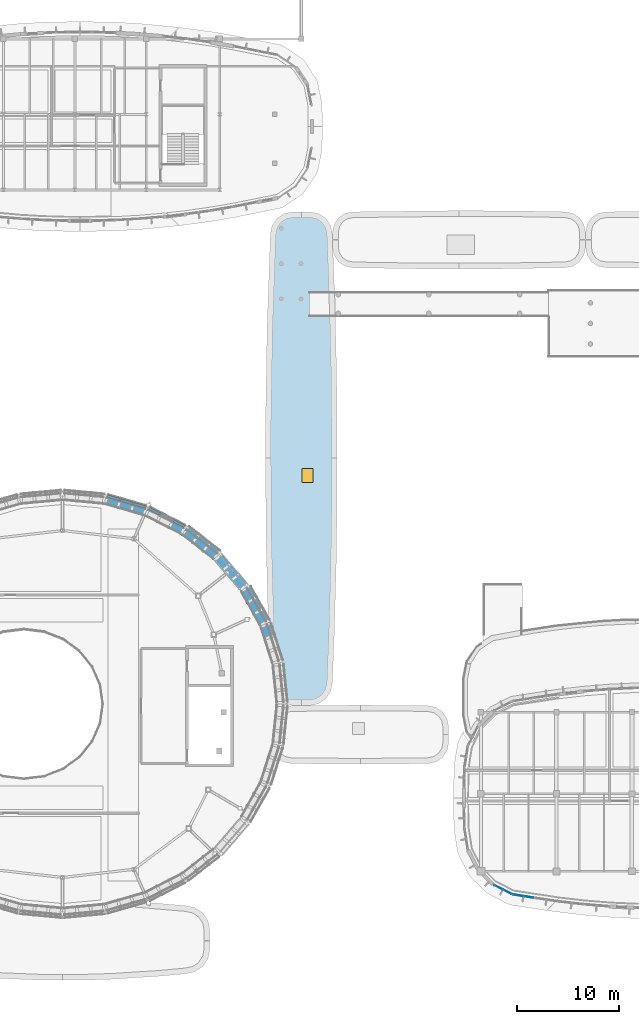
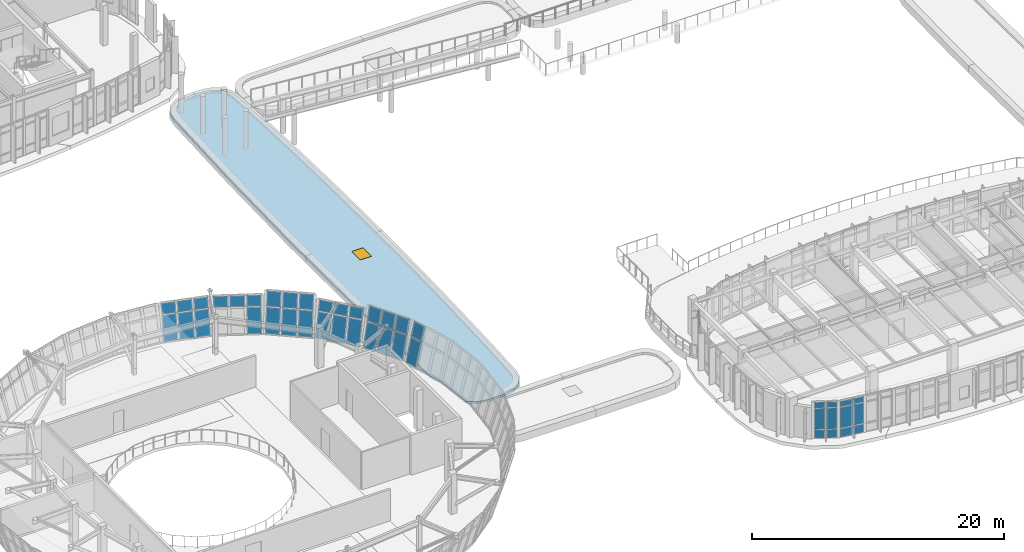
# One storey, part 66 of 111: 42 plates, 1 door, 1 slab, 1 opening, 8 elements without a shape of their own.
"""IFC4 building model written with IfcOpenShell, lengths in metres."""

from ifc_helpers import new_model, si_unit, direction, frame, origin, origin_2d, place, context, subcontext, project, spatial, polyline, rectangle, outline, extrude, material, layer, layer_set, type_object, element, fill, aggregate, save


model = new_model("IFC4")

# Units and contexts
model_context = context("Model", 3, precision=1e-05, world=origin(), true_north=direction((0.0, 1.0)))
body_context = subcontext(model_context, "Body", "Model", "MODEL_VIEW")
ifc_project = project(units=[si_unit("LENGTHUNIT", "METRE"), si_unit("AREAUNIT", "SQUARE_METRE"), si_unit("VOLUMEUNIT", "CUBIC_METRE"), si_unit("PLANEANGLEUNIT", "RADIAN"), si_unit("MASSUNIT", "GRAM", prefix="KILO")], contexts=[model_context])

# Site, building, storey
site_placement = place(None, origin())
site = spatial("IfcSite", under=ifc_project, at=site_placement, CompositionType="ELEMENT")
building_placement = place(site_placement, origin())
building = spatial("IfcBuilding", under=site, at=building_placement, Name="Corveleigh Park Community Centre", CompositionType="ELEMENT")
storey_placement = place(building_placement, frame((0.0, 0.0, 4.800048828125)))
storey = spatial("IfcBuildingStorey", under=building, at=storey_placement, Name="L01", CompositionType="ELEMENT", Elevation=4.800048828125)

# Curtain wall, plates
ifc_material_1 = material(Name="Anodised aluminium 6063-T6", Category="aluminium")
curtain_wall_type_1 = type_object("IfcCurtainWallType", Name="CW-SYS-V1-DRUM", PredefinedType="NOTDEFINED", material=ifc_material_1)
curtain_wall_1_placement = place(storey_placement, origin())
curtain_wall_1 = element("IfcCurtainWall", 1, at=curtain_wall_1_placement, inside=storey, type_object=curtain_wall_type_1, Name="Main Hall Flared Drum CW 163", PredefinedType="NOTDEFINED")
ifc_material_2 = material(Name="Low-E double glazing", Category="glass")
ifc_layer_1 = layer(ifc_material_2, 0.02392578125, Name="Low-E double glazing", Category="glass")
ifc_layer_set_1 = layer_set([ifc_layer_1], Name="Low-E double glazing")
plate_type_1 = type_object("IfcPlateType", Name="CWP-GLZ-24", PredefinedType="CURTAIN_PANEL", material=ifc_layer_set_1)
plate_1_placement = place(storey_placement, frame((50.811767578125, 34.04296875, 0.079833984375), z_axis=(-0.91356732565, -0.2910861537, 0.28401336699), x_axis=(-0.303593019325, 0.952801804299, -1.8486097e-05)))
plate_1 = element("IfcPlate", 2, at=plate_1_placement, type_object=plate_type_1, Name="CW02 panel 3.1", PredefinedType="CURTAIN_PANEL", context=body_context, shape_type="SweptSolid", body=[
    extrude(outline(polyline([(0.0, 0.0), (1.1674272667104637, 0.0), (1.167204053033308, -2.221634736560403), (8.352334033065686e-05, -2.2215897263788698), (0.0, 0.0)])), origin(), (0.0, 0.0, -1.0), 0.02392578125),
])
plate_2_placement = place(storey_placement, frame((51.435546875, 34.24169921875, 2.2900390625), z_axis=(-0.913524107745, -0.291172649423, 0.284063712568), x_axis=(-0.303680295039, 0.952773991212, 8.648615e-06)))
plate_2 = element("IfcPlate", 3, at=plate_2_placement, type_object=plate_type_1, Name="CW02 panel 3.2", PredefinedType="CURTAIN_PANEL", context=body_context, shape_type="SweptSolid", body=[
    extrude(outline(polyline([(0.0, 0.0), (1.167427268642319, 0.0), (1.1672751216239488, -1.2952923042746187), (8.046381932836762e-05, -1.2953133630273834), (0.0, 0.0)])), origin(), (0.0, 0.0, -1.0), 0.02392578125),
])
aggregate(curtain_wall_1, [plate_1, plate_2])

curtain_wall_2_placement = place(storey_placement, origin())
curtain_wall_2 = element("IfcCurtainWall", 4, at=curtain_wall_2_placement, inside=storey, type_object=curtain_wall_type_1, Name="Main Hall Flared Drum CW 164", PredefinedType="NOTDEFINED")
plate_3_placement = place(storey_placement, frame((50.3671875, 35.36279296875, 0.079833984375), z_axis=(-0.836191551865, -0.469194712251, 0.283971848226), x_axis=(-0.489349476617, 0.872087775544, -3.8473367e-05)))
plate_3 = element("IfcPlate", 5, at=plate_3_placement, type_object=plate_type_1, Name="CW02 panel 1.1", PredefinedType="CURTAIN_PANEL", context=body_context, shape_type="SweptSolid", body=[
    extrude(outline(polyline([(0.0, 0.0), (1.1761540065737517, 0.0), (1.1761202262135537, -2.221630933354547), (-0.0001272223277094574, -2.221536542736299), (0.0, 0.0)])), origin(), (0.0, 0.0, -1.0), 0.02392578125),
])
plate_4_placement = place(storey_placement, frame((50.93798828125, 35.68310546875, 2.2900390625), z_axis=(-0.836196444747, -0.469141627437, 0.284045135845), x_axis=(-0.489301621452, 0.872114627005, -2.4646935e-05)))
plate_4 = element("IfcPlate", 6, at=plate_4_placement, type_object=plate_type_1, Name="CW02 panel 1.2", PredefinedType="CURTAIN_PANEL", context=body_context, shape_type="SweptSolid", body=[
    extrude(outline(polyline([(0.0, 0.0), (1.176366915542236, -2.7755575615628914e-17), (1.1761695202621412, -1.2953256330634535), (-7.793687642021366e-05, -1.2952651573908958), (0.0, 0.0)])), origin(), (0.0, 0.0, -1.0), 0.02392578125),
])
plate_5_placement = place(storey_placement, frame((49.749755859375, 36.462646484375, 0.079833984375), z_axis=(-0.836215206328, -0.469152553453, 0.283971847714), x_axis=(-0.489285980956, 0.87212340151, 3.7127716e-05)))
plate_5 = element("IfcPlate", 7, at=plate_5_placement, type_object=plate_type_1, Name="CW02 panel 2.1", PredefinedType="CURTAIN_PANEL", context=body_context, shape_type="SweptSolid", body=[
    extrude(outline(polyline([(0.0, 0.0), (1.2187650526536387, 2.7755575615628914e-17), (1.218844789894321, -2.2215365449483295), (0.00017320340781011286, -2.2216309268598615), (0.0, 0.0)])), origin(), (0.0, 0.0, -1.0), 0.02392578125),
])
plate_6_placement = place(storey_placement, frame((50.32080078125, 36.782958984375, 2.2900390625), z_axis=(-0.836163859069, -0.469219778961, 0.28401197126), x_axis=(-0.489368300675, 0.872077213391, 1.3346287e-05)))
plate_6 = element("IfcPlate", 8, at=plate_6_placement, type_object=plate_type_1, Name="CW02 panel 2.2", PredefinedType="CURTAIN_PANEL", context=body_context, shape_type="SweptSolid", body=[
    extrude(outline(polyline([(0.0, 0.0), (1.2188845082164932, 2.7755575615628914e-17), (1.2188256341303279, -1.295265161153256), (0.00015403538975997775, -1.2952990906688968), (0.0, 0.0)])), origin(), (0.0, 0.0, -1.0), 0.02392578125),
])
plate_7_placement = place(storey_placement, frame((49.11181640625, 37.599609375, 0.079833984375), z_axis=(-0.836208992501, -0.469148667259, 0.283996564892), x_axis=(-0.489288887288, 0.872121771411, 2.4645593e-05)))
plate_7 = element("IfcPlate", 9, at=plate_7_placement, type_object=plate_type_1, Name="CW02 panel 3.1", PredefinedType="CURTAIN_PANEL", context=body_context, shape_type="SweptSolid", body=[
    extrude(outline(polyline([(0.0, 0.0), (1.176247458693079, 2.7755575615628914e-17), (1.1765114261192442, -2.2215704608088873), (0.00014451213141726418, -2.2216309322809806), (0.0, 0.0)])), origin(), (0.0, 0.0, -1.0), 0.02392578125),
])
plate_8_placement = place(storey_placement, frame((49.682861328125, 37.919921875, 2.2900390625), z_axis=(-0.836151598891, -0.469215961491, 0.284054370066), x_axis=(-0.489374177373, 0.872073915743, 0.0)))
plate_8 = element("IfcPlate", 10, at=plate_8_placement, type_object=plate_type_1, Name="CW02 panel 3.2", PredefinedType="CURTAIN_PANEL", context=body_context, shape_type="SweptSolid", body=[
    extrude(outline(polyline([(0.0, 0.0), (1.1763669199708107, 0.0), (1.1765019006226682, -1.2952990940611138), (0.00013498065185780492, -1.2952990940611138), (0.0, 0.0)])), origin(), (0.0, 0.0, -1.0), 0.02392578125),
])
aggregate(curtain_wall_2, [plate_3, plate_4, plate_5, plate_6, plate_7, plate_8])

curtain_wall_3_placement = place(storey_placement, origin())
curtain_wall_3 = element("IfcCurtainWall", 11, at=curtain_wall_3_placement, inside=storey, type_object=curtain_wall_type_1, Name="Main Hall Flared Drum CW 165", PredefinedType="NOTDEFINED")
plate_9_placement = place(storey_placement, frame((48.406494140625, 38.810791015625, 0.079833984375), z_axis=(-0.726323037401, -0.625980958345, 0.283906120275), x_axis=(-0.652848884583, 0.757488173803, -2.1175455e-05)))
plate_9 = element("IfcPlate", 12, at=plate_9_placement, type_object=plate_type_1, Name="CW02 panel 1.1", PredefinedType="CURTAIN_PANEL", context=body_context, shape_type="SweptSolid", body=[
    extrude(outline(polyline([(0.0, 0.0), (1.1887263156914583, 0.0), (1.1887440222908356, -2.2215648963580144), (0.0001770935340897751, -2.221512395803047), (0.0, 0.0)])), origin(), (0.0, 0.0, -1.0), 0.02392578125),
])
plate_10_placement = place(storey_placement, frame((48.902099609375, 39.238037109375, 2.2900390625), z_axis=(-0.726318452153, -0.625990608485, 0.283896572981), x_axis=(-0.652856367817, 0.757481724313, -1.8249718e-05)))
plate_10 = element("IfcPlate", 13, at=plate_10_placement, type_object=plate_type_1, Name="CW02 panel 1.2", PredefinedType="CURTAIN_PANEL", context=body_context, shape_type="SweptSolid", body=[
    extrude(outline(polyline([(0.0, 0.0), (1.1887263165418658, 0.0), (1.1888347777444883, -0.9344664992842384), (-7.647085897714033e-05, -0.9344212461249175), (0.0, 0.0)])), origin(), (0.0, 0.0, -1.0), 0.02392578125),
])
plate_11_placement = place(storey_placement, frame((47.574951171875, 39.775634765625, 0.079833984375), z_axis=(-0.726300856106, -0.626006693385, 0.283906122259), x_axis=(-0.652875559896, 0.757465182614, -2.0442537e-05)))
plate_11 = element("IfcPlate", 14, at=plate_11_placement, type_object=plate_type_1, Name="CW02 panel 2.1", PredefinedType="CURTAIN_PANEL", context=body_context, shape_type="SweptSolid", body=[
    extrude(outline(polyline([(0.0, 0.0), (1.2313076700008125, 0.0), (1.2313047235213384, -2.2215648964267323), (0.00015644696776613134, -2.2215123973531052), (0.0, 0.0)])), origin(), (0.0, 0.0, -1.0), 0.02392578125),
])
plate_12_placement = place(storey_placement, frame((48.070556640625, 40.202880859375, 2.2900390625), z_axis=(-0.726273569631, -0.626078236857, 0.283818151972), x_axis=(-0.65292785518, 0.757420105311, 0.0)))
plate_12 = element("IfcPlate", 15, at=plate_12_placement, type_object=plate_type_1, Name="CW02 panel 2.2", PredefinedType="CURTAIN_PANEL", context=body_context, shape_type="SweptSolid", body=[
    extrude(outline(polyline([(0.0, 0.0), (1.2313076731927668, 0.0), (1.2312225242308603, -0.9344212484989423), (-8.514896190653376e-05, -0.9344212484989424), (0.0, 0.0)])), origin(), (0.0, 0.0, -1.0), 0.02392578125),
])
plate_13_placement = place(storey_placement, frame((46.715576171875, 40.772705078125, 0.079833984375), z_axis=(-0.726337830482, -0.625993707752, 0.283840155485), x_axis=(-0.652848882376, 0.757488175705, -2.1170966e-05)))
plate_13 = element("IfcPlate", 16, at=plate_13_placement, type_object=plate_type_1, Name="CW02 panel 3.1", PredefinedType="CURTAIN_PANEL", context=body_context, shape_type="SweptSolid", body=[
    extrude(outline(polyline([(0.0, 0.0), (1.1887263156913237, 0.0), (1.188559100053589, -2.221519640834963), (-7.828703560879024e-06, -2.2214671524783522), (0.0, 0.0)])), origin(), (0.0, 0.0, -1.0), 0.02392578125),
])
plate_14_placement = place(storey_placement, frame((47.211181640625, 41.199951171875, 2.2900390625), z_axis=(-0.726294066885, -0.626054457329, 0.283818154576), x_axis=(-0.652903056382, 0.757441482207, 0.0)))
plate_14 = element("IfcPlate", 17, at=plate_14_placement, type_object=plate_type_1, Name="CW02 panel 3.2", PredefinedType="CURTAIN_PANEL", context=body_context, shape_type="SweptSolid", body=[
    extrude(outline(polyline([(0.0, 0.0), (1.1887263189979533, -2.7755575615628914e-17), (1.1886498530513097, -0.9344212492498373), (-7.646594664374753e-05, -0.9344212492498373), (0.0, 0.0)])), origin(), (0.0, 0.0, -1.0), 0.02392578125),
])
aggregate(curtain_wall_3, [plate_9, plate_10, plate_11, plate_12, plate_13, plate_14])

curtain_wall_4_placement = place(storey_placement, origin())
curtain_wall_4 = element("IfcCurtainWall", 18, at=curtain_wall_4_placement, inside=storey, type_object=curtain_wall_type_1, Name="Main Hall Flared Drum CW 166", PredefinedType="NOTDEFINED")
plate_15_placement = place(storey_placement, frame((45.776611328125, 41.8291015625, 0.079833984375), z_axis=(-0.590460922943, -0.755435490561, 0.284030135862), x_axis=(-0.787885092226, 0.615822280715, -4.760055e-06)))
plate_15 = element("IfcPlate", 19, at=plate_15_placement, type_object=plate_type_1, Name="CW02 panel 1.1", PredefinedType="CURTAIN_PANEL", context=body_context, shape_type="SweptSolid", body=[
    extrude(outline(polyline([(0.0, 0.0), (1.2016542286378034, 2.7755575615628914e-17), (1.2018649885512411, -2.221629708507475), (-0.00013194208190927655, -2.2216177755411004), (0.0, 0.0)])), origin(), (0.0, 0.0, -1.0), 0.02392578125),
])
plate_16_placement = place(storey_placement, frame((46.1796875, 42.3447265625, 2.2900390625), z_axis=(-0.590445712563, -0.755416030406, 0.284113501125), x_axis=(-0.787877135739, 0.61583245893, 3.8839043e-05)))
plate_16 = element("IfcPlate", 20, at=plate_16_placement, type_object=plate_type_1, Name="CW02 panel 1.2", PredefinedType="CURTAIN_PANEL", context=body_context, shape_type="SweptSolid", body=[
    extrude(outline(polyline([(0.0, 0.0), (1.2018045771167707, -2.7755575615628914e-17), (1.201814518766444, -1.295274080631773), (-3.206144525078248e-05, -1.2953714486139003), (0.0, 0.0)])), origin(), (0.0, 0.0, -1.0), 0.02392578125),
])
plate_17_placement = place(storey_placement, frame((44.7626953125, 42.62158203125, 0.079833984375), z_axis=(-0.590517056705, -0.755406575725, 0.283990336266), x_axis=(-0.787841378921, 0.615878203373, 1.6452822e-05)))
plate_17 = element("IfcPlate", 21, at=plate_17_placement, type_object=plate_type_1, Name="CW02 panel 2.1", PredefinedType="CURTAIN_PANEL", context=body_context, shape_type="SweptSolid", body=[
    extrude(outline(polyline([(0.0, 0.0), (1.244244340027745, -2.7755575615628914e-17), (1.244394715778006, -2.221575073910644), (-4.196833638956726e-05, -2.2216177779845316), (0.0, 0.0)])), origin(), (0.0, 0.0, -1.0), 0.02392578125),
])
plate_18_placement = place(storey_placement, frame((45.166015625, 43.13720703125, 2.2900390625), z_axis=(-0.590446228825, -0.755410020695, 0.28412840671), x_axis=(-0.787881585535, 0.61582676718, 0.0)))
plate_18 = element("IfcPlate", 22, at=plate_18_placement, type_object=plate_type_1, Name="CW02 panel 2.2", PredefinedType="CURTAIN_PANEL", context=body_context, shape_type="SweptSolid", body=[
    extrude(outline(polyline([(0.0, 0.0), (1.2444366869348795, 2.7755575615628914e-17), (1.244546083427362, -1.2953287305198617), (0.00010939649248234429, -1.2953287305198617), (0.0, 0.0)])), origin(), (0.0, 0.0, -1.0), 0.02392578125),
])
plate_19_placement = place(storey_placement, frame((43.71533203125, 43.440185546875, 0.079833984375), z_axis=(-0.590570210498, -0.755353323322, 0.284021448871), x_axis=(-0.787796412937, 0.615935720481, 0.0)))
plate_19 = element("IfcPlate", 23, at=plate_19_placement, type_object=plate_type_1, Name="CW02 panel 3.1", PredefinedType="CURTAIN_PANEL", context=body_context, shape_type="SweptSolid", body=[
    extrude(outline(polyline([(0.0, 0.0), (1.2018045883461863, 0.0), (1.2017736404710488, -2.221617779334845), (-3.094787513755498e-05, -2.221617779334845), (0.0, 0.0)])), origin(), (0.0, 0.0, -1.0), 0.02392578125),
])
plate_20_placement = place(storey_placement, frame((44.11865234375, 43.9560546875, 2.2900390625), z_axis=(-0.590445712563, -0.755416030406, 0.284113501125), x_axis=(-0.787891310482, 0.615814323769, -3.8837686e-05)))
plate_20 = element("IfcPlate", 24, at=plate_20_placement, type_object=plate_type_1, Name="CW02 panel 3.2", PredefinedType="CURTAIN_PANEL", context=body_context, shape_type="SweptSolid", body=[
    extrude(outline(polyline([(0.0, 0.0), (1.2018465841558437, 0.0), (1.2017095777820195, -1.2953714417653588), (-9.499539073989932e-05, -1.2952740771864453), (0.0, 0.0)])), origin(), (0.0, 0.0, -1.0), 0.02392578125),
])
aggregate(curtain_wall_4, [plate_15, plate_16, plate_17, plate_18, plate_19, plate_20])

curtain_wall_5_placement = place(storey_placement, origin())
curtain_wall_5 = element("IfcCurtainWall", 25, at=curtain_wall_5_placement, inside=storey, type_object=curtain_wall_type_1, Name="Main Hall Flared Drum CW 167", PredefinedType="NOTDEFINED")
plate_21_placement = place(storey_placement, frame((42.580078125, 44.2998046875, 0.079833984375), z_axis=(-0.435208898951, -0.854416761972, 0.283840115444), x_axis=(-0.891068087058, 0.453869654892, -2.4380516e-05)))
plate_21 = element("IfcPlate", 26, at=plate_21_placement, type_object=plate_type_1, Name="CW02 panel 1.1", PredefinedType="CURTAIN_PANEL", context=body_context, shape_type="SweptSolid", body=[
    extrude(outline(polyline([(0.0, 0.0), (1.2142572199545414, 0.0), (1.2143215333155306, -2.221524246956718), (-4.6494660224740356e-05, -2.2214624961072755), (0.0, 0.0)])), origin(), (0.0, 0.0, -1.0), 0.02392578125),
])
plate_22_placement = place(storey_placement, frame((42.876953125, 44.8828125, 2.2900390625), z_axis=(-0.435134371748, -0.85445969676, 0.283825131263), x_axis=(-0.891105466146, 0.453796262882, 0.0)))
plate_22 = element("IfcPlate", 27, at=plate_22_placement, type_object=plate_type_1, Name="CW02 panel 1.2", PredefinedType="CURTAIN_PANEL", context=body_context, shape_type="SweptSolid", body=[
    extrude(outline(polyline([(0.0, 0.0), (1.214257224433932, -2.7755575615628914e-17), (1.2142474069679823, -0.9344232616394489), (-9.817465949718312e-06, -0.9344232616394489), (0.0, 0.0)])), origin(), (0.0, 0.0, -1.0), 0.02392578125),
])
plate_23_placement = place(storey_placement, frame((41.71923828125, 45.472412109375, 2.2900390625), z_axis=(-0.43529204676, -0.854379383179, 0.283825128602), x_axis=(-0.891021707372, 0.453960699832, 0.0)))
plate_23 = element("IfcPlate", 28, at=plate_23_placement, type_object=plate_type_1, Name="CW02 panel 2.2", PredefinedType="CURTAIN_PANEL", context=body_context, shape_type="SweptSolid", body=[
    extrude(outline(polyline([(0.0, 0.0), (1.2568414861383201, 0.0), (1.2568806110657529, -0.9344232608719287), (3.912492743281283e-05, -0.9344232608719287), (0.0, 0.0)])), origin(), (0.0, 0.0, -1.0), 0.02392578125),
])
plate_24_placement = place(storey_placement, frame((40.5234375, 46.08154296875, 2.2900390625), z_axis=(-0.43508807319, -0.854465168105, 0.283879631293), x_axis=(-0.891124497652, 0.453758889202, 1.2416831e-05)))
plate_24 = element("IfcPlate", 29, at=plate_24_placement, type_object=plate_type_1, Name="CW02 panel 3.2", PredefinedType="CURTAIN_PANEL", context=body_context, shape_type="SweptSolid", body=[
    extrude(outline(polyline([(0.0, 0.0), (1.2142572232723932, 2.7755575615628914e-17), (1.2142474081295118, -0.9344232601300853), (-0.0002273748346908288, -0.9344547111837748), (0.0, 0.0)])), origin(), (0.0, 0.0, -1.0), 0.02392578125),
])
aggregate(curtain_wall_5, [plate_21, plate_22, plate_23, plate_24])

curtain_wall_6_placement = place(storey_placement, origin())
curtain_wall_6 = element("IfcCurtainWall", 30, at=curtain_wall_6_placement, inside=storey, type_object=curtain_wall_type_1, Name="Main Hall Flared Drum CW 168", PredefinedType="NOTDEFINED")
plate_25_placement = place(storey_placement, frame((38.93701171875, 46.13134765625, 0.079833984375), z_axis=(-0.266088376999, -0.921207727639, 0.283854360832), x_axis=(-0.960723306895, 0.27750806699, 1.8566973e-05)))
plate_25 = element("IfcPlate", 31, at=plate_25_placement, type_object=plate_type_1, Name="CW02 panel 1.1", PredefinedType="CURTAIN_PANEL", context=body_context, shape_type="SweptSolid", body=[
    extrude(outline(polyline([(0.0, 0.0), (1.2226015728971278, 0.0), (1.222557847310438, -2.2214794678816183), (0.0002585769948249614, -2.221526809576135), (0.0, 0.0)])), origin(), (0.0, 0.0, -1.0), 0.02392578125),
])
plate_26_placement = place(storey_placement, frame((39.118408203125, 46.760009765625, 2.2900390625), z_axis=(-0.266172199392, -0.921166449768, 0.283909725252), x_axis=(-0.960697586067, 0.277597096651, 7.546601e-06)))
plate_26 = element("IfcPlate", 32, at=plate_26_placement, type_object=plate_type_1, Name="CW02 panel 1.2", PredefinedType="CURTAIN_PANEL", context=body_context, shape_type="SweptSolid", body=[
    extrude(outline(polyline([(0.0, 0.0), (1.2223670296202918, -1.3877787807814457e-17), (1.2225303820429856, -0.9344380454608738), (-7.119288640434793e-05, -0.9344572884948379), (0.0, 0.0)])), origin(), (0.0, 0.0, -1.0), 0.02392578125),
])
plate_27_placement = place(storey_placement, frame((37.6806640625, 46.494140625, 0.079833984375), z_axis=(-0.26610340468, -0.92118410883, 0.283916916822), x_axis=(-0.960718756836, 0.277523819271, 0.0)))
plate_27 = element("IfcPlate", 33, at=plate_27_placement, type_object=plate_type_1, Name="CW02 panel 2.1", PredefinedType="CURTAIN_PANEL", context=body_context, shape_type="SweptSolid", body=[
    extrude(outline(polyline([(0.0, 0.0), (1.2650237362410135, -1.3877787807814457e-17), (1.265018553325676, -2.221546050018316), (-5.1829153378257775e-06, -2.221546050018316), (0.0, 0.0)])), origin(), (0.0, 0.0, -1.0), 0.02392578125),
])
plate_28_placement = place(storey_placement, frame((37.8623046875, 47.122802734375, 2.2900390625), z_axis=(-0.266101256367, -0.921176671903, 0.283943058553), x_axis=(-0.960718756836, 0.277523819271, 0.0)))
plate_28 = element("IfcPlate", 34, at=plate_28_placement, type_object=plate_type_1, Name="CW02 panel 2.2", PredefinedType="CURTAIN_PANEL", context=body_context, shape_type="SweptSolid", body=[
    extrude(outline(polyline([(0.0, 0.0), (1.2650237362410135, 1.3877787807814457e-17), (1.2649255435540678, -0.9344572866126412), (-9.81926869459554e-05, -0.9344572866126412), (0.0, 0.0)])), origin(), (0.0, 0.0, -1.0), 0.02392578125),
])
plate_29_placement = place(storey_placement, frame((36.3837890625, 46.868896484375, 0.079833984375), z_axis=(-0.266061700526, -0.921211112795, 0.283868380021), x_axis=(-0.960730375848, 0.277483592743, 2.6109665e-05)))
plate_29 = element("IfcPlate", 35, at=plate_29_placement, type_object=plate_type_1, Name="CW02 panel 3.1", PredefinedType="CURTAIN_PANEL", context=body_context, shape_type="SweptSolid", body=[
    extrude(outline(polyline([(0.0, 0.0), (1.2226015703409923, -1.3877787807814457e-17), (1.2225578498664817, -2.221479466474938), (2.4024543249118554e-05, -2.221546047048338), (0.0, 0.0)])), origin(), (0.0, 0.0, -1.0), 0.02392578125),
])
plate_30_placement = place(storey_placement, frame((36.5654296875, 47.49755859375, 2.2900390625), z_axis=(-0.266070519218, -0.921241646604, 0.283761003955), x_axis=(-0.96073037747, 0.277483587126, 2.6100654e-05)))
plate_30 = element("IfcPlate", 36, at=plate_30_placement, type_object=plate_type_1, Name="CW02 panel 3.2", PredefinedType="CURTAIN_PANEL", context=body_context, shape_type="SweptSolid", body=[
    extrude(outline(polyline([(0.0, 0.0), (1.2226015703406494, -1.3877787807814457e-17), (1.2226824607586655, -0.9343714863271186), (0.0001486354344040993, -0.9344380417157482), (0.0, 0.0)])), origin(), (0.0, 0.0, -1.0), 0.02392578125),
])
aggregate(curtain_wall_6, [plate_25, plate_26, plate_27, plate_28, plate_29, plate_30])

curtain_wall_type_2 = type_object("IfcCurtainWallType", Name="CW-SYS-V3-UPP", PredefinedType="NOTDEFINED", material=ifc_material_1)
curtain_wall_7_placement = place(storey_placement, origin())
curtain_wall_7 = element("IfcCurtainWall", 37, at=curtain_wall_7_placement, inside=storey, type_object=curtain_wall_type_2, Name="V3 L01 Curtain Wall 258", PredefinedType="NOTDEFINED")
ifc_layer_2 = layer(ifc_material_2, 0.031982421875, Name="Low-E double glazing", Category="glass")
ifc_layer_set_2 = layer_set([ifc_layer_2], Name="Low-E double glazing")
plate_type_2 = type_object("IfcPlateType", Name="CWP-GLZ-32", PredefinedType="CURTAIN_PANEL", material=ifc_layer_set_2)
plate_31_placement = place(storey_placement, frame((74.589111328125, 9.192626953125, 0.070068359375), z_axis=(0.0, 0.0, 1.0), x_axis=(-0.890890679418, 0.454217786228, 0.0)))
plate_31 = element("IfcPlate", 38, at=plate_31_placement, type_object=plate_type_2, Name="CW06 panel 1.1", PredefinedType="CURTAIN_PANEL", context=body_context, shape_type="SweptSolid", body=[
    extrude(rectangle(XDim=0.8984375, YDim=0.031982421875, at=origin_2d()), origin(), (0.0, 0.0, 1.0), 0.794921875),
])
plate_32_placement = place(storey_placement, frame((74.589111328125, 9.192626953125, 0.93505859375), z_axis=(0.0, 0.0, 1.0), x_axis=(-0.890890679418, 0.454217786228, 0.0)))
plate_32 = element("IfcPlate", 39, at=plate_32_placement, type_object=plate_type_2, Name="CW06 panel 1.2", PredefinedType="CURTAIN_PANEL", context=body_context, shape_type="SweptSolid", body=[
    extrude(rectangle(XDim=0.8984375, YDim=0.031982421875, at=origin_2d()), origin(), (0.0, 0.0, 1.0), 2.0),
])
plate_33_placement = place(storey_placement, frame((74.589111328125, 9.192626953125, 3.0048828125), z_axis=(0.0, 0.0, 1.0), x_axis=(-0.890890679418, 0.454217786228, 0.0)))
plate_33 = element("IfcPlate", 40, at=plate_33_placement, type_object=plate_type_2, Name="CW06 panel 1.3", PredefinedType="CURTAIN_PANEL", context=body_context, shape_type="SweptSolid", body=[
    extrude(rectangle(XDim=0.8984375, YDim=0.031982421875, at=origin_2d()), origin(), (0.0, 0.0, 1.0), 0.544921875),
])
plate_34_placement = place(storey_placement, frame((73.712890625, 9.639404296875, 0.070068359375), z_axis=(0.0, 0.0, 1.0), x_axis=(-0.890890679418, 0.454217786228, 0.0)))
plate_34 = element("IfcPlate", 41, at=plate_34_placement, type_object=plate_type_2, Name="CW06 panel 2.1", PredefinedType="CURTAIN_PANEL", context=body_context, shape_type="SweptSolid", body=[
    extrude(rectangle(XDim=0.8984375, YDim=0.031982421875, at=origin_2d()), origin(), (0.0, 0.0, 1.0), 0.794921875),
])
plate_35_placement = place(storey_placement, frame((73.712890625, 9.639404296875, 0.93505859375), z_axis=(0.0, 0.0, 1.0), x_axis=(-0.890890679418, 0.454217786228, 0.0)))
plate_35 = element("IfcPlate", 42, at=plate_35_placement, type_object=plate_type_2, Name="CW06 panel 2.2", PredefinedType="CURTAIN_PANEL", context=body_context, shape_type="SweptSolid", body=[
    extrude(rectangle(XDim=0.8984375, YDim=0.031982421875, at=origin_2d()), origin(), (0.0, 0.0, 1.0), 2.0),
])
plate_36_placement = place(storey_placement, frame((73.712890625, 9.639404296875, 3.0048828125), z_axis=(0.0, 0.0, 1.0), x_axis=(-0.890890679418, 0.454217786228, 0.0)))
plate_36 = element("IfcPlate", 43, at=plate_36_placement, type_object=plate_type_2, Name="CW06 panel 2.3", PredefinedType="CURTAIN_PANEL", context=body_context, shape_type="SweptSolid", body=[
    extrude(rectangle(XDim=0.8984375, YDim=0.031982421875, at=origin_2d()), origin(), (0.0, 0.0, 1.0), 0.544921875),
])
aggregate(curtain_wall_7, [plate_31, plate_32, plate_33, plate_34, plate_35, plate_36])

curtain_wall_8_placement = place(storey_placement, origin())
curtain_wall_8 = element("IfcCurtainWall", 44, at=curtain_wall_8_placement, inside=storey, type_object=curtain_wall_type_2, Name="V3 L01 Curtain Wall 259", PredefinedType="NOTDEFINED")
ifc_layer_3 = layer(ifc_material_2, 0.035888671875, Name="Low-E double glazing", Category="glass")
ifc_layer_set_3 = layer_set([ifc_layer_3], Name="Low-E double glazing")
plate_type_3 = type_object("IfcPlateType", Name="CWP-GLZ-36", PredefinedType="CURTAIN_PANEL", material=ifc_layer_set_3)
plate_37_placement = place(storey_placement, frame((76.664306640625, 8.684814453125, 0.074951171875), z_axis=(0.0, 0.0, 1.0), x_axis=(-0.987661487783, 0.156603912946, 0.0)))
plate_37 = element("IfcPlate", 45, at=plate_37_placement, type_object=plate_type_3, Name="CW06 panel 1.1", PredefinedType="CURTAIN_PANEL", context=body_context, shape_type="SweptSolid", body=[
    extrude(rectangle(XDim=0.950927734375, YDim=0.035888671875, at=origin_2d()), origin(), (0.0, 0.0, 1.0), 0.78759765625),
])
plate_38_placement = place(storey_placement, frame((76.664306640625, 8.684814453125, 0.9375), z_axis=(0.0, 0.0, 1.0), x_axis=(-0.987661487783, 0.156603912946, 0.0)))
plate_38 = element("IfcPlate", 46, at=plate_38_placement, type_object=plate_type_3, Name="CW06 panel 1.2", PredefinedType="CURTAIN_PANEL", context=body_context, shape_type="SweptSolid", body=[
    extrude(rectangle(XDim=0.950927734375, YDim=0.035888671875, at=origin_2d()), origin(), (0.0, 0.0, 1.0), 1.9951171875),
])
plate_39_placement = place(storey_placement, frame((76.664306640625, 8.684814453125, 3.00732421875), z_axis=(0.0, 0.0, 1.0), x_axis=(-0.987661487783, 0.156603912946, 0.0)))
plate_39 = element("IfcPlate", 47, at=plate_39_placement, type_object=plate_type_3, Name="CW06 panel 1.3", PredefinedType="CURTAIN_PANEL", context=body_context, shape_type="SweptSolid", body=[
    extrude(rectangle(XDim=0.950927734375, YDim=0.035888671875, at=origin_2d()), origin(), (0.0, 0.0, 1.0), 0.53759765625),
])
plate_40_placement = place(storey_placement, frame((75.665771484375, 8.84326171875, 0.074951171875), z_axis=(0.0, 0.0, 1.0), x_axis=(-0.987661487783, 0.156603912946, 0.0)))
plate_40 = element("IfcPlate", 48, at=plate_40_placement, type_object=plate_type_3, Name="CW06 panel 2.1", PredefinedType="CURTAIN_PANEL", context=body_context, shape_type="SweptSolid", body=[
    extrude(rectangle(XDim=0.950927734375, YDim=0.035888671875, at=origin_2d()), origin(), (0.0, 0.0, 1.0), 0.78759765625),
])
plate_41_placement = place(storey_placement, frame((75.665771484375, 8.84326171875, 0.9375), z_axis=(0.0, 0.0, 1.0), x_axis=(-0.987661487783, 0.156603912946, 0.0)))
plate_41 = element("IfcPlate", 49, at=plate_41_placement, type_object=plate_type_3, Name="CW06 panel 2.2", PredefinedType="CURTAIN_PANEL", context=body_context, shape_type="SweptSolid", body=[
    extrude(rectangle(XDim=0.950927734375, YDim=0.035888671875, at=origin_2d()), origin(), (0.0, 0.0, 1.0), 1.9951171875),
])
plate_42_placement = place(storey_placement, frame((75.665771484375, 8.84326171875, 3.00732421875), z_axis=(0.0, 0.0, 1.0), x_axis=(-0.987661487783, 0.156603912946, 0.0)))
plate_42 = element("IfcPlate", 50, at=plate_42_placement, type_object=plate_type_3, Name="CW06 panel 2.3", PredefinedType="CURTAIN_PANEL", context=body_context, shape_type="SweptSolid", body=[
    extrude(rectangle(XDim=0.950927734375, YDim=0.035888671875, at=origin_2d()), origin(), (0.0, 0.0, 1.0), 0.53759765625),
])
aggregate(curtain_wall_8, [plate_37, plate_38, plate_39, plate_40, plate_41, plate_42])

# Slab, opening, door
ifc_material_3 = material(Name="Concrete C32/40", Category="concrete")
ifc_layer_4 = layer(ifc_material_3, 0.19189453125, Name="Concrete C32/40", Category="concrete")
ifc_layer_set_4 = layer_set([ifc_layer_4], Name="Concrete C32/40")
slab_type = type_object("IfcSlabType", Name="SLB-ROF-192", PredefinedType="ROOF", material=ifc_layer_set_4)
slab_placement = place(storey_placement, frame((0.0, 0.0, -0.192138671875)))
slab = element("IfcSlab", 51, at=slab_placement, inside=storey, type_object=slab_type, Name="Covered Passage West Canopy", PredefinedType="ROOF", context=body_context, shape_type="SweptSolid", body=[
    extrude(outline(polyline([(51.281982421875, 32.5380859375), (50.97802734375, 43.5458984375), (50.924072265625, 48.177001953125), (50.924072265625, 55.123046875), (51.075927734375, 64.384033203125), (51.39990234375, 73.639892578125), (51.56396484375, 74.467041015625), (52.032958984375, 75.1669921875), (52.73291015625, 75.635986328125), (53.56005859375, 75.800048828125), (55.239990234375, 75.800048828125), (56.06689453125, 75.635986328125), (56.76708984375, 75.1669921875), (57.236083984375, 74.467041015625), (57.39990234375, 73.639892578125), (57.658935546875, 66.697998046875), (57.822021484375, 59.75390625), (57.8759765625, 55.123046875), (57.8759765625, 48.177001953125), (57.778076171875, 41.23095703125), (57.583984375, 34.287109375), (57.39990234375, 29.659912109375), (57.236083984375, 28.8330078125), (56.76708984375, 28.133056640625), (56.06689453125, 27.6640625), (55.239990234375, 27.5), (54.679931640625, 27.4990234375), (53.56005859375, 27.5), (52.73291015625, 27.6640625), (52.032958984375, 28.133056640625), (51.947021484375, 28.261962890625), (51.611083984375, 31.5048828125), (51.281982421875, 32.5380859375)])), origin(), (0.0, 0.0, 1.0), 0.192138671875),
])
opening_placement = place(slab_placement, frame((55.0, 50.0, -0.010009765625)))
opening = element("IfcOpeningElement", 52, at=opening_placement, cuts=slab, Name="Opening RH02", PredefinedType="OPENING", context=body_context, shape_type="SweptSolid", body=[
    extrude(rectangle(XDim=1.050048828125, YDim=1.35009765625, at=origin_2d()), origin(), (0.0, 0.0, 1.0), 0.212158203125),
])
door_type = type_object("IfcDoorType", Name="DR-HTC-1050x1350", OperationType="SINGLE_SWING_LEFT", PredefinedType="TRAPDOOR", material=ifc_material_1)
door_placement = place(opening_placement, frame((0.0, 0.0, 0.152099609375)))
door = element("IfcDoor", 53, at=door_placement, inside=storey, type_object=door_type, Name="Roof maintenance hatch 4", OperationType="SINGLE_SWING_LEFT", OverallHeight=1.35009765625, OverallWidth=1.050048828125, PredefinedType="TRAPDOOR", context=body_context, shape_type="SweptSolid", body=[
    extrude(rectangle(XDim=1.050048828125, YDim=1.35009765625, at=origin_2d()), origin(), (0.0, 0.0, 1.0), 0.050048828125),
])
fill(opening, door)

save(model, "model.ifc")
